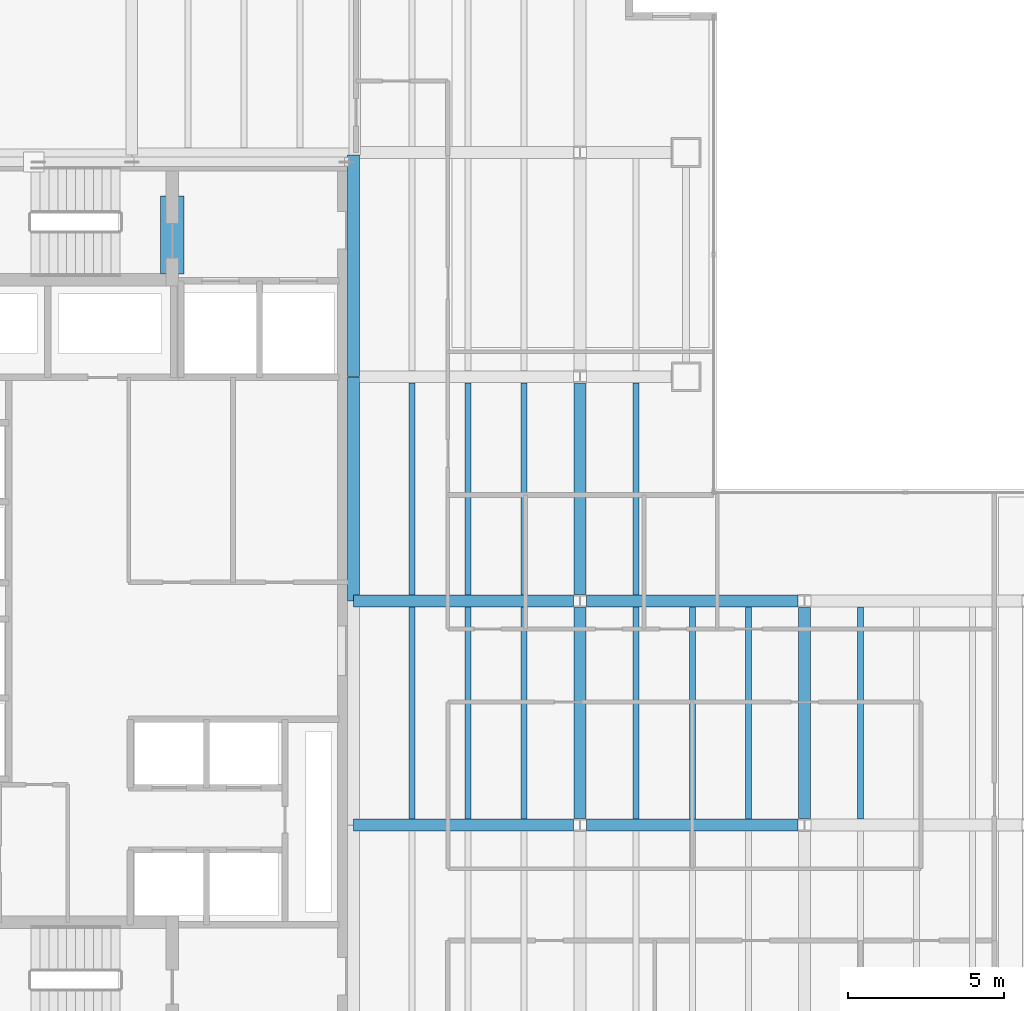
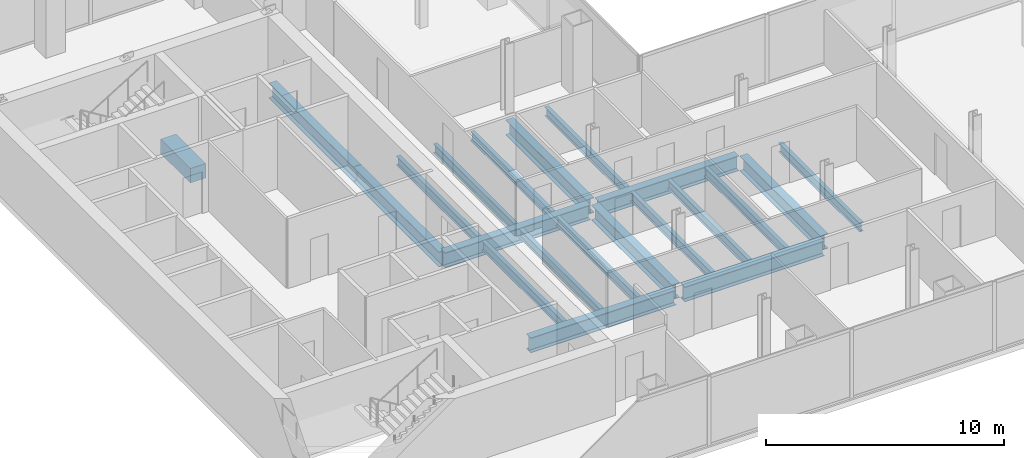
# One storey, part 6 of 24: 21 beams.
"""IFC4 building model written with IfcOpenShell, lengths in metres."""

from ifc_helpers import new_model, si_unit, direction, frame, origin, origin_2d, place, context, subcontext, project, spatial, rectangle, i_section, extrude, material, material_profile, profile_set, type_object, element, save


model = new_model("IFC4")

# Units and contexts
model_context = context("Model", 3, precision=1e-05, world=origin(), true_north=direction((0.0, 1.0)))
body_context = subcontext(model_context, "Body", "Model", "MODEL_VIEW")
ifc_project = project(units=[si_unit("LENGTHUNIT", "METRE"), si_unit("AREAUNIT", "SQUARE_METRE"), si_unit("VOLUMEUNIT", "CUBIC_METRE"), si_unit("PLANEANGLEUNIT", "RADIAN"), si_unit("MASSUNIT", "GRAM", prefix="KILO")], contexts=[model_context])

# Site, building, storey
site_placement = place(None, origin())
site = spatial("IfcSite", under=ifc_project, at=site_placement, CompositionType="ELEMENT")
building_placement = place(site_placement, origin())
building = spatial("IfcBuilding", under=site, at=building_placement, Name="Cobrela Telecom Tower", CompositionType="ELEMENT")
storey_placement = place(building_placement, frame((0.0, 0.0, 106.050048828125)))
storey = spatial("IfcBuildingStorey", under=building, at=storey_placement, Name="L26", CompositionType="ELEMENT", Elevation=106.050048828125)

# Beams
ifc_material_1 = material(Name="Concrete C40/50", Category="concrete")
ifc_material_profile_1 = material_profile(ifc_material_1, rectangle(XDim=0.75, YDim=0.75, at=origin_2d()), Name="RC 750x750")
ifc_profile_set_1 = profile_set([ifc_material_profile_1], Name="Concrete C40/50")
beam_type_1 = type_object("IfcBeamType", Name="BM-COUP-RC", PredefinedType="LINTEL", material=ifc_profile_set_1)
beam_1_placement = place(storey_placement, frame((8.5, 32.10009765625, -0.6201171875), z_axis=(0.0, 1.0, 0.0), x_axis=(-1.0, 0.0, 0.0)))
element("IfcBeam", 1, at=beam_1_placement, inside=storey, type_object=beam_type_1, Name="L26 Core Coupling Lintel Beam", PredefinedType="LINTEL", context=body_context, shape_type="SweptSolid", body=[
    extrude(rectangle(XDim=0.75, YDim=0.75, at=origin_2d()), origin(), (0.0, 0.0, 1.0), 2.5),
])
ifc_material_2 = material(Name="Steel ASTM A992 Grade 50", Category="steel")
ifc_material_profile_2 = material_profile(ifc_material_2, i_section(OverallWidth=0.381103515625, OverallDepth=0.77197265625, WebThickness=0.0166015625, FlangeThickness=0.027099609375, FilletRadius=0.01904296875, at=origin_2d()), Name="W30X173")
ifc_profile_set_2 = profile_set([ifc_material_profile_2], Name="Steel ASTM A992 Grade 50")
beam_type_2 = type_object("IfcBeamType", Name="BM-GIRD-04", PredefinedType="USERDEFINED", material=ifc_profile_set_2)
beam_2_placement = place(storey_placement, frame((14.324951171875, 14.39990234375, -0.656005859375), z_axis=(1.0, 0.0, 0.0), x_axis=(0.0, 1.0, 0.0)))
element("IfcBeam", 2, at=beam_2_placement, inside=storey, type_object=beam_type_2, Name="L26 Primary Girder X13", ObjectType="GIRDER", PredefinedType="USERDEFINED", context=body_context, shape_type="SweptSolid", body=[
    extrude(i_section(OverallWidth=0.381103515625, OverallDepth=0.77197265625, WebThickness=0.0166015625, FlangeThickness=0.027099609375, FilletRadius=0.01904296875, at=origin_2d()), origin(), (0.0, 0.0, 1.0), 7.0654296875),
])
beam_3_placement = place(storey_placement, frame((21.8095703125, 14.39990234375, -0.656005859375), z_axis=(1.0, 0.0, 0.0), x_axis=(0.0, 1.0, 0.0)))
element("IfcBeam", 3, at=beam_3_placement, inside=storey, type_object=beam_type_2, Name="L26 Primary Girder X14", ObjectType="GIRDER", PredefinedType="USERDEFINED", context=body_context, shape_type="SweptSolid", body=[
    extrude(i_section(OverallWidth=0.381103515625, OverallDepth=0.77197265625, WebThickness=0.0166015625, FlangeThickness=0.027099609375, FilletRadius=0.01904296875, at=origin_2d()), origin(), (0.0, 0.0, 1.0), 6.781005859375),
])
beam_4_placement = place(storey_placement, frame((14.324951171875, 21.60009765625, -0.656005859375), z_axis=(1.0, 0.0, 0.0), x_axis=(0.0, 1.0, 0.0)))
element("IfcBeam", 4, at=beam_4_placement, inside=storey, type_object=beam_type_2, Name="L26 Primary Girder X18", ObjectType="GIRDER", PredefinedType="USERDEFINED", context=body_context, shape_type="SweptSolid", body=[
    extrude(i_section(OverallWidth=0.381103515625, OverallDepth=0.77197265625, WebThickness=0.0166015625, FlangeThickness=0.027099609375, FilletRadius=0.01904296875, at=origin_2d()), origin(), (0.0, 0.0, 1.0), 7.0654296875),
])
beam_5_placement = place(storey_placement, frame((21.8095703125, 21.60009765625, -0.656005859375), z_axis=(1.0, 0.0, 0.0), x_axis=(0.0, 1.0, 0.0)))
element("IfcBeam", 5, at=beam_5_placement, inside=storey, type_object=beam_type_2, Name="L26 Primary Girder X19", ObjectType="GIRDER", PredefinedType="USERDEFINED", context=body_context, shape_type="SweptSolid", body=[
    extrude(i_section(OverallWidth=0.381103515625, OverallDepth=0.77197265625, WebThickness=0.0166015625, FlangeThickness=0.027099609375, FilletRadius=0.01904296875, at=origin_2d()), origin(), (0.0, 0.0, 1.0), 6.781005859375),
])
beam_6_placement = place(storey_placement, frame((14.320068359375, 21.60498046875, -0.656005859375), z_axis=(0.0, 1.0, 0.0), x_axis=(-1.0, 0.0, 0.0)))
element("IfcBeam", 6, at=beam_6_placement, inside=storey, type_object=beam_type_2, Name="L26 Primary Girder Y36", ObjectType="GIRDER", PredefinedType="USERDEFINED", context=body_context, shape_type="SweptSolid", body=[
    extrude(i_section(OverallWidth=0.381103515625, OverallDepth=0.77197265625, WebThickness=0.0166015625, FlangeThickness=0.027099609375, FilletRadius=0.01904296875, at=origin_2d()), origin(), (0.0, 0.0, 1.0), 7.18994140625),
])
beam_7_placement = place(storey_placement, frame((14.320068359375, 28.804931640625, -0.656005859375), z_axis=(0.0, 1.0, 0.0), x_axis=(-1.0, 0.0, 0.0)))
element("IfcBeam", 7, at=beam_7_placement, inside=storey, type_object=beam_type_2, Name="L26 Primary Girder Y37", ObjectType="GIRDER", PredefinedType="USERDEFINED", context=body_context, shape_type="SweptSolid", body=[
    extrude(i_section(OverallWidth=0.381103515625, OverallDepth=0.77197265625, WebThickness=0.0166015625, FlangeThickness=0.027099609375, FilletRadius=0.01904296875, at=origin_2d()), origin(), (0.0, 0.0, 1.0), 7.110107421875),
])
beam_8_placement = place(storey_placement, frame((21.60009765625, 14.609619140625, -0.656005859375), z_axis=(0.0, 1.0, 0.0), x_axis=(-1.0, 0.0, 0.0)))
element("IfcBeam", 8, at=beam_8_placement, inside=storey, type_object=beam_type_2, Name="L26 Primary Girder Y41", ObjectType="GIRDER", PredefinedType="USERDEFINED", context=body_context, shape_type="SweptSolid", body=[
    extrude(i_section(OverallWidth=0.381103515625, OverallDepth=0.77197265625, WebThickness=0.0166015625, FlangeThickness=0.027099609375, FilletRadius=0.01904296875, at=origin_2d()), origin(), (0.0, 0.0, 1.0), 6.78076171875),
])
beam_9_placement = place(storey_placement, frame((21.60009765625, 21.8095703125, -0.656005859375), z_axis=(0.0, 1.0, 0.0), x_axis=(-1.0, 0.0, 0.0)))
element("IfcBeam", 9, at=beam_9_placement, inside=storey, type_object=beam_type_2, Name="L26 Primary Girder Y42", ObjectType="GIRDER", PredefinedType="USERDEFINED", context=body_context, shape_type="SweptSolid", body=[
    extrude(i_section(OverallWidth=0.381103515625, OverallDepth=0.77197265625, WebThickness=0.0166015625, FlangeThickness=0.027099609375, FilletRadius=0.01904296875, at=origin_2d()), origin(), (0.0, 0.0, 1.0), 6.781005859375),
])
beam_10_placement = place(storey_placement, frame((28.800048828125, 14.609619140625, -0.656005859375), z_axis=(0.0, 1.0, 0.0), x_axis=(-1.0, 0.0, 0.0)))
element("IfcBeam", 10, at=beam_10_placement, inside=storey, type_object=beam_type_2, Name="L26 Primary Girder Y48", ObjectType="GIRDER", PredefinedType="USERDEFINED", context=body_context, shape_type="SweptSolid", body=[
    extrude(i_section(OverallWidth=0.381103515625, OverallDepth=0.77197265625, WebThickness=0.0166015625, FlangeThickness=0.027099609375, FilletRadius=0.01904296875, at=origin_2d()), origin(), (0.0, 0.0, 1.0), 6.78076171875),
])
ifc_material_profile_3 = material_profile(ifc_material_2, i_section(OverallWidth=0.193115234375, OverallDepth=0.467041015625, WebThickness=0.011474609375, FlangeThickness=0.01904296875, FilletRadius=0.012939453125, at=origin_2d()), Name="W18X65")
ifc_profile_set_3 = profile_set([ifc_material_profile_3], Name="Steel ASTM A992 Grade 50")
beam_type_3 = type_object("IfcBeamType", Name="BM-JOIST-03", PredefinedType="JOIST", material=ifc_profile_set_3)
for number, where, z_axis, x_axis, name in (
    (11, (16.199951171875, 14.595458984375, -0.503662109375), (0.0, 1.0, 0.0), (-1.0, 0.0, 0.0), "L26 Secondary Composite Floor Beam J05"),
    (12, (16.199951171875, 21.79541015625, -0.503662109375), (0.0, 1.0, 0.0), (-1.0, 0.0, 0.0), "L26 Secondary Composite Floor Beam J06"),
    (13, (18.0, 14.595458984375, -0.503662109375), (0.0, 1.0, 0.0), (-1.0, 0.0, 0.0), "L26 Secondary Composite Floor Beam J10"),
    (14, (18.0, 21.79541015625, -0.503662109375), (0.0, 1.0, 0.0), (-1.0, 0.0, 0.0), "L26 Secondary Composite Floor Beam J11"),
    (15, (19.800048828125, 14.595458984375, -0.503662109375), (0.0, 1.0, 0.0), (-1.0, 0.0, 0.0), "L26 Secondary Composite Floor Beam J15"),
    (16, (19.800048828125, 21.79541015625, -0.503662109375), (0.0, 1.0, 0.0), (-1.0, 0.0, 0.0), "L26 Secondary Composite Floor Beam J16"),
    (17, (23.39990234375, 14.595458984375, -0.503662109375), (0.0, 1.0, 0.0), (-1.0, 0.0, 0.0), "L26 Secondary Composite Floor Beam J20"),
    (18, (23.39990234375, 21.79541015625, -0.503662109375), (0.0, 1.0, 0.0), (-1.0, 0.0, 0.0), "L26 Secondary Composite Floor Beam J21"),
    (19, (25.199951171875, 14.595458984375, -0.503662109375), (0.0, 1.0, 0.0), (-1.0, 0.0, 0.0), "L26 Secondary Composite Floor Beam J24"),
    (20, (27.0, 14.595458984375, -0.503662109375), (0.0, 1.0, 0.0), (-1.0, 0.0, 0.0), "L26 Secondary Composite Floor Beam J26"),
    (21, (30.60009765625, 14.595458984375, -0.503662109375), (0.0, 1.0, 0.0), (-1.0, 0.0, 0.0), "L26 Secondary Composite Floor Beam J28"),
):
    element("IfcBeam", number, at=place(storey_placement, frame(where, z_axis=z_axis, x_axis=x_axis)), inside=storey, type_object=beam_type_3, Name=name, PredefinedType="JOIST", context=body_context, shape_type="SweptSolid", body=[
        extrude(i_section(OverallWidth=0.193115234375, OverallDepth=0.467041015625, WebThickness=0.011474609375, FlangeThickness=0.01904296875, FilletRadius=0.012939453125, at=origin_2d()), origin(), (0.0, 0.0, 1.0), 6.80908203125),
    ])

save(model, "model.ifc")
